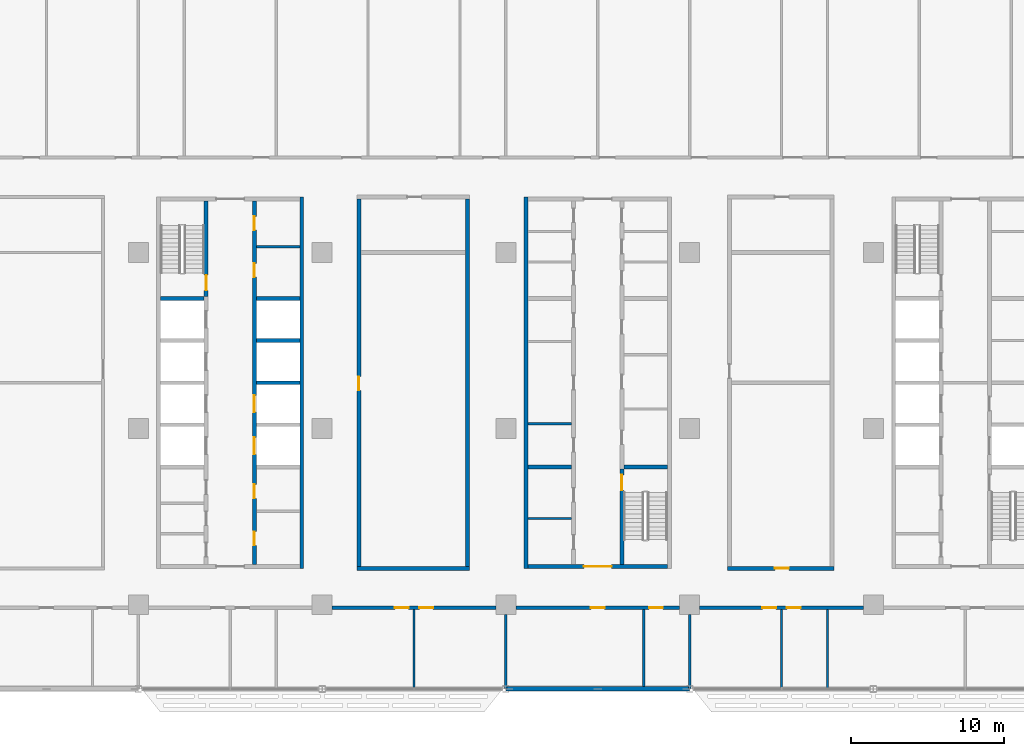
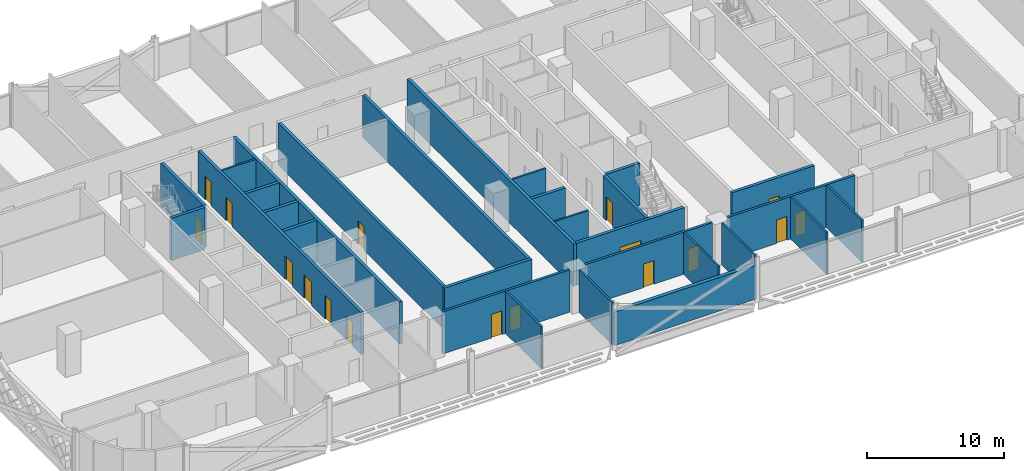
# One storey, part 14 of 29: 29 walls, 17 doors, 17 openings.
"""IFC4 building model written with IfcOpenShell, lengths in metres."""

from ifc_helpers import new_model, si_unit, direction, frame, frame_2d, origin, place, context, subcontext, project, spatial, rectangle, extrude, material, layer, layer_set, type_object, element, fill, save


model = new_model("IFC4")

# Units and contexts
model_context = context("Model", 3, precision=1e-05, world=origin(), true_north=direction((0.0, 1.0)))
body_context = subcontext(model_context, "Body", "Model", "MODEL_VIEW")
ifc_project = project(units=[si_unit("LENGTHUNIT", "METRE"), si_unit("AREAUNIT", "SQUARE_METRE"), si_unit("VOLUMEUNIT", "CUBIC_METRE"), si_unit("PLANEANGLEUNIT", "RADIAN"), si_unit("MASSUNIT", "GRAM", prefix="KILO")], contexts=[model_context])

# Site, building, storey
site_placement = place(None, origin())
site = spatial("IfcSite", under=ifc_project, at=site_placement, CompositionType="ELEMENT")
building_placement = place(site_placement, origin())
building = spatial("IfcBuilding", under=site, at=building_placement, Name="Mahtab Terrace Research Tower", CompositionType="ELEMENT")
storey_placement = place(building_placement, frame((0.0, 0.0, 142.5)))
storey = spatial("IfcBuildingStorey", under=building, at=storey_placement, Name="L33", CompositionType="ELEMENT", Elevation=142.5)

# Walls
ifc_material_1 = material(Name="Gypsum board partition")
ifc_layer_1 = layer(ifc_material_1, 0.14990234375)
ifc_layer_set_1 = layer_set([ifc_layer_1], Name="Core partition 150")
wall_type_1 = type_object("IfcWallType", Name="Core partition 150", PredefinedType="PARTITIONING", material=ifc_layer_set_1)
for number, where, z_axis, x_axis, name in (
    (1, (-22.300048828125, 11.875, 0.0), (0.0, 0.0, 1.0), (1.0, 0.0, 0.0), "Core wall A pEN888"),
    (2, (-4.550048828125, 0.3125, 0.0), (0.0, 0.0, 1.0), (1.0, 0.0, 0.0), "Core wall B pWL-269"),
    (3, (-4.550048828125, -5.875, 0.0), (0.0, 0.0, 1.0), (1.0, 0.0, 0.0), "Core wall B pWS-888"),
):
    element("IfcWall", number, at=place(storey_placement, frame(where, z_axis=z_axis, x_axis=x_axis)), inside=storey, type_object=wall_type_1, Name=name, PredefinedType="PARTITIONING", context=body_context, shape_type="SweptSolid", body=[
        extrude(rectangle(XDim=2.85009765625, YDim=0.14990234375, at=frame_2d((1.425048828125, 0.0))), origin(), (0.0, 0.0, 1.0), 3.760009765625),
    ])
ifc_material_2 = material(Name="Concrete C70/85", Category="concrete")
ifc_layer_2 = layer(ifc_material_2, 0.25)
ifc_layer_set_2 = layer_set([ifc_layer_2], Name="Core wall 250")
wall_type_2 = type_object("IfcWallType", Name="Core wall 250", PredefinedType="SOLIDWALL", material=ifc_layer_set_2)
wall_1_placement = place(storey_placement, frame((-19.324951171875, -9.125, 0.0), z_axis=(0.0, 0.0, 1.0), x_axis=(0.0, 1.0, 0.0)))
element("IfcWall", 4, at=wall_1_placement, inside=storey, type_object=wall_type_2, Name="Core wall A outerE", PredefinedType="SOLIDWALL", context=body_context, shape_type="SweptSolid", body=[
    extrude(rectangle(XDim=24.25, YDim=0.25, at=frame_2d((12.125, 0.0))), origin(), (0.0, 0.0, 1.0), 3.760009765625),
])

# Wall, opening, door
wall_2_placement = place(storey_placement, frame((-25.574951171875, 14.875, 0.0), z_axis=(0.0, 0.0, 1.0), x_axis=(0.0, -1.0, 0.0)))
wall_2 = element("IfcWall", 5, at=wall_2_placement, inside=storey, type_object=wall_type_2, Name="Core wall A innerWN", PredefinedType="SOLIDWALL", context=body_context, shape_type="SweptSolid", body=[
    extrude(rectangle(XDim=6.25, YDim=0.25, at=frame_2d((3.125, 0.0))), origin(), (0.0, 0.0, 1.0), 3.760009765625),
])
opening_1_placement = place(wall_2_placement, frame((4.85009765625, 0.0, 0.0)))
opening_1 = element("IfcOpeningElement", 6, at=opening_1_placement, cuts=wall_2, Name="Opening A-ST1", PredefinedType="OPENING", context=body_context, shape_type="SweptSolid", body=[
    extrude(rectangle(XDim=1.0, YDim=2.10009765625, at=frame_2d((0.5, 1.050048828125))), frame((0.0, 0.135009765625, 0.0), z_axis=(0.0, -1.0, 0.0), x_axis=(1.0, 0.0, 0.0)), (0.0, 0.0, 1.0), 0.27001953125),
])
ifc_material_3 = material(Name="Steel fire door", Category="steel")
door_type_1 = type_object("IfcDoorType", Name="Stair door 1000x2100 1.5 HR", OperationType="NOTDEFINED", PredefinedType="DOOR", material=ifc_material_3)
door_1_placement = place(opening_1_placement, origin())
door_1 = element("IfcDoor", 7, at=door_1_placement, inside=storey, type_object=door_type_1, Name="Stair door ST1 L33", OperationType="SINGLE_SWING_RIGHT", OverallHeight=2.10009765625, OverallWidth=1.0, PredefinedType="DOOR", context=body_context, shape_type="SweptSolid", body=[
    extrude(rectangle(XDim=1.0, YDim=2.10009765625, at=frame_2d((0.5, 1.050048828125))), frame((0.0, 0.02490234375, 0.0), z_axis=(0.0, -1.0, 0.0), x_axis=(1.0, 0.0, 0.0)), (0.0, 0.0, 1.0), 0.050048828125),
])
fill(opening_1, door_1)

# Wall, openings, doors
wall_3_placement = place(storey_placement, frame((-22.425048828125, 14.875, 0.0), z_axis=(0.0, 0.0, 1.0), x_axis=(0.0, -1.0, 0.0)))
wall_3 = element("IfcWall", 8, at=wall_3_placement, inside=storey, type_object=wall_type_2, Name="Core wall A innerESLN", PredefinedType="SOLIDWALL", context=body_context, shape_type="SweptSolid", body=[
    extrude(rectangle(XDim=23.75, YDim=0.25, at=frame_2d((11.875, 0.0))), origin(), (0.0, 0.0, 1.0), 3.760009765625),
])
opening_2_placement = place(wall_3_placement, frame((15.449951171875, 0.0, 0.0)))
opening_2 = element("IfcOpeningElement", 9, at=opening_2_placement, cuts=wall_3, Name="Opening LD05-L33", PredefinedType="OPENING", context=body_context, shape_type="SweptSolid", body=[
    extrude(rectangle(XDim=1.10009765625, YDim=2.10009765625, at=frame_2d((0.550048828125, 1.050048828125))), frame((0.0, 0.135009765625, 0.0), z_axis=(0.0, -1.0, 0.0), x_axis=(1.0, 0.0, 0.0)), (0.0, 0.0, 1.0), 0.27001953125),
])
opening_3_placement = place(wall_3_placement, frame((12.699951171875, 0.0, 0.0)))
opening_3 = element("IfcOpeningElement", 10, at=opening_3_placement, cuts=wall_3, Name="Opening LD06-L33", PredefinedType="OPENING", context=body_context, shape_type="SweptSolid", body=[
    extrude(rectangle(XDim=1.10009765625, YDim=2.10009765625, at=frame_2d((0.550048828125, 1.050048828125))), frame((0.0, 0.135009765625, 0.0), z_axis=(0.0, -1.0, 0.0), x_axis=(1.0, 0.0, 0.0)), (0.0, 0.0, 1.0), 0.27001953125),
])
opening_4_placement = place(wall_3_placement, frame((21.597412109375, 0.0, 0.0)))
opening_4 = element("IfcOpeningElement", 11, at=opening_4_placement, cuts=wall_3, Name="Opening A-R4", PredefinedType="OPENING", context=body_context, shape_type="SweptSolid", body=[
    extrude(rectangle(XDim=0.89990234375, YDim=2.10009765625, at=frame_2d((0.449951171875, 1.050048828125))), frame((0.0, 0.135009765625, 0.0), z_axis=(0.0, -1.0, 0.0), x_axis=(1.0, 0.0, 0.0)), (0.0, 0.0, 1.0), 0.27001953125),
])
opening_5_placement = place(wall_3_placement, frame((18.5224609375, 0.0, 0.0)))
opening_5 = element("IfcOpeningElement", 12, at=opening_5_placement, cuts=wall_3, Name="Opening A-R5", PredefinedType="OPENING", context=body_context, shape_type="SweptSolid", body=[
    extrude(rectangle(XDim=0.89990234375, YDim=2.10009765625, at=frame_2d((0.449951171875, 1.050048828125))), frame((0.0, 0.135009765625, 0.0), z_axis=(0.0, -1.0, 0.0), x_axis=(1.0, 0.0, 0.0)), (0.0, 0.0, 1.0), 0.27001953125),
])
opening_6_placement = place(wall_3_placement, frame((4.08740234375, 0.0, 0.0)))
opening_6 = element("IfcOpeningElement", 13, at=opening_6_placement, cuts=wall_3, Name="Opening A-R6", PredefinedType="OPENING", context=body_context, shape_type="SweptSolid", body=[
    extrude(rectangle(XDim=0.89990234375, YDim=2.10009765625, at=frame_2d((0.449951171875, 1.050048828125))), frame((0.0, 0.135009765625, 0.0), z_axis=(0.0, -1.0, 0.0), x_axis=(1.0, 0.0, 0.0)), (0.0, 0.0, 1.0), 0.27001953125),
])
opening_7_placement = place(wall_3_placement, frame((1.012451171875, 0.0, 0.0)))
opening_7 = element("IfcOpeningElement", 14, at=opening_7_placement, cuts=wall_3, Name="Opening A-R7", PredefinedType="OPENING", context=body_context, shape_type="SweptSolid", body=[
    extrude(rectangle(XDim=0.89990234375, YDim=2.10009765625, at=frame_2d((0.449951171875, 1.050048828125))), frame((0.0, 0.135009765625, 0.0), z_axis=(0.0, -1.0, 0.0), x_axis=(1.0, 0.0, 0.0)), (0.0, 0.0, 1.0), 0.27001953125),
])
ifc_material_4 = material(Name="Stainless steel AISI 304", Category="steel")
door_type_2 = type_object("IfcDoorType", Name="Landing door 1100x2100", OperationType="DOUBLE_DOOR_SLIDING", PredefinedType="DOOR", material=ifc_material_4)
door_2_placement = place(opening_2_placement, origin())
door_2 = element("IfcDoor", 15, at=door_2_placement, inside=storey, type_object=door_type_2, Name="Landing door LR5 L33", OperationType="DOUBLE_DOOR_SLIDING", OverallHeight=2.10009765625, OverallWidth=1.10009765625, PredefinedType="DOOR", context=body_context, shape_type="SweptSolid", body=[
    extrude(rectangle(XDim=1.10009765625, YDim=2.10009765625, at=frame_2d((0.550048828125, 1.050048828125))), frame((0.0, 0.02490234375, 0.0), z_axis=(0.0, -1.0, 0.0), x_axis=(1.0, 0.0, 0.0)), (0.0, 0.0, 1.0), 0.050048828125),
])
fill(opening_2, door_2)
door_3_placement = place(opening_3_placement, origin())
door_3 = element("IfcDoor", 16, at=door_3_placement, inside=storey, type_object=door_type_2, Name="Landing door LR6 L33", OperationType="DOUBLE_DOOR_SLIDING", OverallHeight=2.10009765625, OverallWidth=1.10009765625, PredefinedType="DOOR", context=body_context, shape_type="SweptSolid", body=[
    extrude(rectangle(XDim=1.10009765625, YDim=2.10009765625, at=frame_2d((0.550048828125, 1.050048828125))), frame((0.0, 0.02490234375, 0.0), z_axis=(0.0, -1.0, 0.0), x_axis=(1.0, 0.0, 0.0)), (0.0, 0.0, 1.0), 0.050048828125),
])
fill(opening_3, door_3)
door_type_3 = type_object("IfcDoorType", Name="Room door 900x2100 1 HR", OperationType="NOTDEFINED", PredefinedType="DOOR", material=ifc_material_3)
door_4_placement = place(opening_4_placement, origin())
door_4 = element("IfcDoor", 17, at=door_4_placement, inside=storey, type_object=door_type_3, Name="Pantry door", OperationType="SINGLE_SWING_RIGHT", OverallHeight=2.10009765625, OverallWidth=0.89990234375, PredefinedType="DOOR", context=body_context, shape_type="SweptSolid", body=[
    extrude(rectangle(XDim=0.89990234375, YDim=2.10009765625, at=frame_2d((0.449951171875, 1.050048828125))), frame((0.0, 0.02490234375, 0.0), z_axis=(0.0, -1.0, 0.0), x_axis=(1.0, 0.0, 0.0)), (0.0, 0.0, 1.0), 0.050048828125),
])
fill(opening_4, door_4)
door_5_placement = place(opening_5_placement, origin())
door_5 = element("IfcDoor", 18, at=door_5_placement, inside=storey, type_object=door_type_3, Name="Linen store door", OperationType="SINGLE_SWING_LEFT", OverallHeight=2.10009765625, OverallWidth=0.89990234375, PredefinedType="DOOR", context=body_context, shape_type="SweptSolid", body=[
    extrude(rectangle(XDim=0.89990234375, YDim=2.10009765625, at=frame_2d((0.449951171875, 1.050048828125))), frame((0.0, 0.02490234375, 0.0), z_axis=(0.0, -1.0, 0.0), x_axis=(1.0, 0.0, 0.0)), (0.0, 0.0, 1.0), 0.050048828125),
])
fill(opening_5, door_5)
door_6_placement = place(opening_6_placement, origin())
door_6 = element("IfcDoor", 19, at=door_6_placement, inside=storey, type_object=door_type_3, Name="Housekeeping store door", OperationType="SINGLE_SWING_RIGHT", OverallHeight=2.10009765625, OverallWidth=0.89990234375, PredefinedType="DOOR", context=body_context, shape_type="SweptSolid", body=[
    extrude(rectangle(XDim=0.89990234375, YDim=2.10009765625, at=frame_2d((0.449951171875, 1.050048828125))), frame((0.0, 0.02490234375, 0.0), z_axis=(0.0, -1.0, 0.0), x_axis=(1.0, 0.0, 0.0)), (0.0, 0.0, 1.0), 0.050048828125),
])
fill(opening_6, door_6)
door_7_placement = place(opening_7_placement, origin())
door_7 = element("IfcDoor", 20, at=door_7_placement, inside=storey, type_object=door_type_3, Name="Electrical riser room door", OperationType="SINGLE_SWING_LEFT", OverallHeight=2.10009765625, OverallWidth=0.89990234375, PredefinedType="DOOR", context=body_context, shape_type="SweptSolid", body=[
    extrude(rectangle(XDim=0.89990234375, YDim=2.10009765625, at=frame_2d((0.449951171875, 1.050048828125))), frame((0.0, 0.02490234375, 0.0), z_axis=(0.0, -1.0, 0.0), x_axis=(1.0, 0.0, 0.0)), (0.0, 0.0, 1.0), 0.050048828125),
])
fill(opening_7, door_7)

# Walls
for number, where, z_axis, x_axis, name in (
    (21, (-28.550048828125, 8.5, 0.0), (0.0, 0.0, 1.0), (1.0, 0.0, 0.0), "Core wall A divW4"),
    (22, (-22.300048828125, 3.0, 0.0), (0.0, 0.0, 1.0), (1.0, 0.0, 0.0), "Core wall A divE2"),
    (23, (-22.300048828125, 5.75, 0.0), (0.0, 0.0, 1.0), (1.0, 0.0, 0.0), "Core wall A divE3"),
    (24, (-22.300048828125, 8.5, 0.0), (0.0, 0.0, 1.0), (1.0, 0.0, 0.0), "Core wall A divE4"),
):
    element("IfcWall", number, at=place(storey_placement, frame(where, z_axis=z_axis, x_axis=x_axis)), inside=storey, type_object=wall_type_2, Name=name, PredefinedType="SOLIDWALL", context=body_context, shape_type="SweptSolid", body=[
        extrude(rectangle(XDim=2.85009765625, YDim=0.25, at=frame_2d((1.425048828125, 0.0))), origin(), (0.0, 0.0, 1.0), 3.760009765625),
    ])
wall_4_placement = place(storey_placement, frame((-4.675048828125, 15.125, 0.0), z_axis=(0.0, 0.0, 1.0), x_axis=(0.0, -1.0, 0.0)))
element("IfcWall", 25, at=wall_4_placement, inside=storey, type_object=wall_type_2, Name="Core wall B outerW", PredefinedType="SOLIDWALL", context=body_context, shape_type="SweptSolid", body=[
    extrude(rectangle(XDim=24.25, YDim=0.25, at=frame_2d((12.125, 0.0))), origin(), (0.0, 0.0, 1.0), 3.760009765625),
])

# Wall, opening, door
wall_5_placement = place(storey_placement, frame((4.550048828125, -9.0, 0.0), z_axis=(0.0, 0.0, 1.0), x_axis=(-1.0, 0.0, 0.0)))
wall_5 = element("IfcWall", 26, at=wall_5_placement, inside=storey, type_object=wall_type_2, Name="Core wall B endS", PredefinedType="SOLIDWALL", context=body_context, shape_type="SweptSolid", body=[
    extrude(rectangle(XDim=9.10009765625, YDim=0.25, at=frame_2d((4.550048828125, 0.0))), origin(), (0.0, 0.0, 1.0), 3.760009765625),
])
opening_8_placement = place(wall_5_placement, frame((3.64990234375, 0.0, 0.0)))
opening_8 = element("IfcOpeningElement", 27, at=opening_8_placement, cuts=wall_5, Name="Opening B-S1", PredefinedType="OPENING", context=body_context, shape_type="SweptSolid", body=[
    extrude(rectangle(XDim=1.800048828125, YDim=2.10009765625, at=frame_2d((0.89990234375, 1.050048828125))), frame((0.0, 0.135009765625, 0.0), z_axis=(0.0, -1.0, 0.0), x_axis=(1.0, 0.0, 0.0)), (0.0, 0.0, 1.0), 0.27001953125),
])
door_type_4 = type_object("IfcDoorType", Name="Lobby double door 1800x2100 1 HR", OperationType="DOUBLE_DOOR_SINGLE_SWING", PredefinedType="DOOR", material=ifc_material_3)
door_8_placement = place(opening_8_placement, origin())
door_8 = element("IfcDoor", 28, at=door_8_placement, inside=storey, type_object=door_type_4, Name="Core entrance door B S", OperationType="DOUBLE_DOOR_SINGLE_SWING", OverallHeight=2.10009765625, OverallWidth=1.800048828125, PredefinedType="DOOR", context=body_context, shape_type="SweptSolid", body=[
    extrude(rectangle(XDim=1.800048828125, YDim=2.10009765625, at=frame_2d((0.89990234375, 1.050048828125))), frame((0.0, 0.02490234375, 0.0), z_axis=(0.0, -1.0, 0.0), x_axis=(1.0, 0.0, 0.0)), (0.0, 0.0, 1.0), 0.050048828125),
])
fill(opening_8, door_8)

wall_6_placement = place(storey_placement, frame((1.574951171875, -8.875, 0.0), z_axis=(0.0, 0.0, 1.0), x_axis=(0.0, 1.0, 0.0)))
wall_6 = element("IfcWall", 29, at=wall_6_placement, inside=storey, type_object=wall_type_2, Name="Core wall B innerES", PredefinedType="SOLIDWALL", context=body_context, shape_type="SweptSolid", body=[
    extrude(rectangle(XDim=6.25, YDim=0.25, at=frame_2d((3.125, 0.0))), origin(), (0.0, 0.0, 1.0), 3.760009765625),
])
opening_9_placement = place(wall_6_placement, frame((4.85009765625, 0.0, 0.0)))
opening_9 = element("IfcOpeningElement", 30, at=opening_9_placement, cuts=wall_6, Name="Opening B-ST2", PredefinedType="OPENING", context=body_context, shape_type="SweptSolid", body=[
    extrude(rectangle(XDim=1.0, YDim=2.10009765625, at=frame_2d((0.5, 1.050048828125))), frame((0.0, 0.135009765625, 0.0), z_axis=(0.0, -1.0, 0.0), x_axis=(1.0, 0.0, 0.0)), (0.0, 0.0, 1.0), 0.27001953125),
])
door_9_placement = place(opening_9_placement, origin())
door_9 = element("IfcDoor", 31, at=door_9_placement, inside=storey, type_object=door_type_1, Name="Stair door ST2 L33", OperationType="SINGLE_SWING_LEFT", OverallHeight=2.10009765625, OverallWidth=1.0, PredefinedType="DOOR", context=body_context, shape_type="SweptSolid", body=[
    extrude(rectangle(XDim=1.0, YDim=2.10009765625, at=frame_2d((0.5, 1.050048828125))), frame((0.0, 0.02490234375, 0.0), z_axis=(0.0, -1.0, 0.0), x_axis=(1.0, 0.0, 0.0)), (0.0, 0.0, 1.0), 0.050048828125),
])
fill(opening_9, door_9)

# Walls
for number, where, z_axis, x_axis, name in (
    (32, (-4.550048828125, -2.5, 0.0), (0.0, 0.0, 1.0), (1.0, 0.0, 0.0), "Core wall B divW0"),
    (33, (1.699951171875, -2.5, 0.0), (0.0, 0.0, 1.0), (1.0, 0.0, 0.0), "Core wall B divE0"),
):
    element("IfcWall", number, at=place(storey_placement, frame(where, z_axis=z_axis, x_axis=x_axis)), inside=storey, type_object=wall_type_2, Name=name, PredefinedType="SOLIDWALL", context=body_context, shape_type="SweptSolid", body=[
        extrude(rectangle(XDim=2.85009765625, YDim=0.25, at=frame_2d((1.425048828125, 0.0))), origin(), (0.0, 0.0, 1.0), 3.760009765625),
    ])
ifc_material_5 = material(Name="Black aluminium cladding panel", Category="aluminium")
ifc_layer_3 = layer(ifc_material_5, 0.300048828125)
ifc_layer_set_3 = layer_set([ifc_layer_3], Name="Opaque facade wall 300")
wall_type_3 = type_object("IfcWallType", Name="Opaque facade wall 300", PredefinedType="NOTDEFINED", material=ifc_layer_set_3)
wall_7_placement = place(storey_placement, frame((-5.982177734375, -17.0, 0.0), z_axis=(0.0, 0.0, 1.0), x_axis=(1.0, 0.0, 0.0)))
element("IfcWall", 34, at=wall_7_placement, inside=storey, type_object=wall_type_3, Name="Opaque facade wall L33 S27", PredefinedType="NOTDEFINED", context=body_context, shape_type="SweptSolid", body=[
    extrude(rectangle(XDim=11.96435546875, YDim=0.300048828125, at=frame_2d((5.982177734375, 0.0))), origin(), (0.0, 0.0, 1.0), 3.003173828125),
])
ifc_material_6 = material(Name="Masonry control area wall", Category="masonry")
ifc_layer_4 = layer(ifc_material_6, 0.25)
ifc_layer_set_4 = layer_set([ifc_layer_4], Name="WALL CONTROL AREA 250")
wall_type_4 = type_object("IfcWallType", Name="WALL CONTROL AREA 250", PredefinedType="PARTITIONING", material=ifc_layer_set_4)
wall_8_placement = place(storey_placement, frame((-15.72509765625, -9.125, 0.0), z_axis=(0.0, 0.0, 1.0), x_axis=(1.0, 0.0, 0.0)))
element("IfcWall", 35, at=wall_8_placement, inside=storey, type_object=wall_type_4, Name="L33-W011", PredefinedType="PARTITIONING", context=body_context, shape_type="SweptSolid", body=[
    extrude(rectangle(XDim=7.35009765625, YDim=0.25, at=frame_2d((3.675048828125, 0.0))), origin(), (0.0, 0.0, 1.0), 3.760009765625),
])

# Wall, opening, door
wall_9_placement = place(storey_placement, frame((8.47509765625, -9.125, 0.0), z_axis=(0.0, 0.0, 1.0), x_axis=(1.0, 0.0, 0.0)))
wall_9 = element("IfcWall", 36, at=wall_9_placement, inside=storey, type_object=wall_type_4, Name="L33-W012", PredefinedType="PARTITIONING", context=body_context, shape_type="SweptSolid", body=[
    extrude(rectangle(XDim=6.949951171875, YDim=0.25, at=frame_2d((3.47509765625, 0.0))), origin(), (0.0, 0.0, 1.0), 3.760009765625),
])
opening_10_placement = place(wall_9_placement, frame((3.10009765625, 0.0, 0.0)))
opening_10 = element("IfcOpeningElement", 37, at=opening_10_placement, cuts=wall_9, Name="Opening L33-118", PredefinedType="OPENING", context=body_context, shape_type="SweptSolid", body=[
    extrude(rectangle(XDim=0.89990234375, YDim=2.10009765625, at=frame_2d((0.449951171875, 1.050048828125))), frame((0.0, 0.135009765625, 0.0), z_axis=(0.0, -1.0, 0.0), x_axis=(1.0, 0.0, 0.0)), (0.0, 0.0, 1.0), 0.27001953125),
])
ifc_material_7 = material(Name="Timber door leaf in steel frame", Category="steel")
door_type_5 = type_object("IfcDoorType", Name="DOOR 0900X2100 FD120", OperationType="SINGLE_SWING_LEFT", PredefinedType="DOOR", material=ifc_material_7)
door_10_placement = place(opening_10_placement, origin())
door_10 = element("IfcDoor", 38, at=door_10_placement, inside=storey, type_object=door_type_5, Name="Door L33-118", OperationType="SINGLE_SWING_RIGHT", OverallHeight=2.10009765625, OverallWidth=0.89990234375, PredefinedType="DOOR", context=body_context, shape_type="SweptSolid", body=[
    extrude(rectangle(XDim=0.89990234375, YDim=2.10009765625, at=frame_2d((0.449951171875, 1.050048828125))), frame((0.0, 0.02490234375, 0.0), z_axis=(0.0, -1.0, 0.0), x_axis=(1.0, 0.0, 0.0)), (0.0, 0.0, 1.0), 0.050048828125),
])
fill(opening_10, door_10)

wall_10_placement = place(storey_placement, frame((-15.60009765625, -9.0, 0.0), z_axis=(0.0, 0.0, 1.0), x_axis=(0.0, 1.0, 0.0)))
wall_10 = element("IfcWall", 39, at=wall_10_placement, inside=storey, type_object=wall_type_4, Name="L33-W038", PredefinedType="PARTITIONING", context=body_context, shape_type="SweptSolid", body=[
    extrude(rectangle(XDim=24.0, YDim=0.25, at=frame_2d((12.0, 0.0))), origin(), (0.0, 0.0, 1.0), 3.760009765625),
])
opening_11_placement = place(wall_10_placement, frame((11.5, 0.0, 0.0)))
opening_11 = element("IfcOpeningElement", 40, at=opening_11_placement, cuts=wall_10, Name="Opening L33-119", PredefinedType="OPENING", context=body_context, shape_type="SweptSolid", body=[
    extrude(rectangle(XDim=0.89990234375, YDim=2.10009765625, at=frame_2d((0.449951171875, 1.050048828125))), frame((0.0, 0.135009765625, 0.0), z_axis=(0.0, -1.0, 0.0), x_axis=(1.0, 0.0, 0.0)), (0.0, 0.0, 1.0), 0.27001953125),
])
door_11_placement = place(opening_11_placement, origin())
door_11 = element("IfcDoor", 41, at=door_11_placement, inside=storey, type_object=door_type_5, Name="Door L33-119", OperationType="SINGLE_SWING_RIGHT", OverallHeight=2.10009765625, OverallWidth=0.89990234375, PredefinedType="DOOR", context=body_context, shape_type="SweptSolid", body=[
    extrude(rectangle(XDim=0.89990234375, YDim=2.10009765625, at=frame_2d((0.449951171875, 1.050048828125))), frame((0.0, 0.02490234375, 0.0), z_axis=(0.0, -1.0, 0.0), x_axis=(1.0, 0.0, 0.0)), (0.0, 0.0, 1.0), 0.050048828125),
])
fill(opening_11, door_11)

# Wall
wall_11_placement = place(storey_placement, frame((-8.5, -9.0, 0.0), z_axis=(0.0, 0.0, 1.0), x_axis=(0.0, 1.0, 0.0)))
element("IfcWall", 42, at=wall_11_placement, inside=storey, type_object=wall_type_4, Name="L33-W042", PredefinedType="PARTITIONING", context=body_context, shape_type="SweptSolid", body=[
    extrude(rectangle(XDim=24.0, YDim=0.25, at=frame_2d((12.0, 0.0))), origin(), (0.0, 0.0, 1.0), 3.760009765625),
])

# Wall, openings, doors
ifc_material_8 = material(Name="Gypsum board corridor wall on steel studs", Category="steel")
ifc_layer_5 = layer(ifc_material_8, 0.199951171875)
ifc_layer_set_5 = layer_set([ifc_layer_5], Name="WALL CORRIDOR 200")
wall_type_5 = type_object("IfcWallType", Name="WALL CORRIDOR 200", PredefinedType="PARTITIONING", material=ifc_layer_set_5)
wall_12_placement = place(storey_placement, frame((-17.35009765625, -11.699951171875, 0.0), z_axis=(0.0, 0.0, 1.0), x_axis=(1.0, 0.0, 0.0)))
wall_12 = element("IfcWall", 43, at=wall_12_placement, inside=storey, type_object=wall_type_5, Name="L33-W004", PredefinedType="PARTITIONING", context=body_context, shape_type="SweptSolid", body=[
    extrude(rectangle(XDim=10.7001953125, YDim=0.199951171875, at=frame_2d((5.35009765625, 0.0))), origin(), (0.0, 0.0, 1.0), 3.760009765625),
])
opening_12_placement = place(wall_12_placement, frame((4.10009765625, 0.0, 0.0)))
opening_12 = element("IfcOpeningElement", 44, at=opening_12_placement, cuts=wall_12, Name="Opening L33-106", PredefinedType="OPENING", context=body_context, shape_type="SweptSolid", body=[
    extrude(rectangle(XDim=0.89990234375, YDim=2.10009765625, at=frame_2d((0.449951171875, 1.050048828125))), frame((0.0, 0.10986328125, 0.0), z_axis=(0.0, -1.0, 0.0), x_axis=(1.0, 0.0, 0.0)), (0.0, 0.0, 1.0), 0.219970703125),
])
opening_13_placement = place(wall_12_placement, frame((5.699951171875, 0.0, 0.0)))
opening_13 = element("IfcOpeningElement", 45, at=opening_13_placement, cuts=wall_12, Name="Opening L33-107", PredefinedType="OPENING", context=body_context, shape_type="SweptSolid", body=[
    extrude(rectangle(XDim=0.89990234375, YDim=2.10009765625, at=frame_2d((0.449951171875, 1.050048828125))), frame((0.0, 0.10986328125, 0.0), z_axis=(0.0, -1.0, 0.0), x_axis=(1.0, 0.0, 0.0)), (0.0, 0.0, 1.0), 0.219970703125),
])
door_type_6 = type_object("IfcDoorType", Name="DOOR 0900X2100 FD30S", OperationType="SINGLE_SWING_LEFT", PredefinedType="DOOR", material=ifc_material_7)
door_12_placement = place(opening_12_placement, origin())
door_12 = element("IfcDoor", 46, at=door_12_placement, inside=storey, type_object=door_type_6, Name="Door L33-106", OperationType="SINGLE_SWING_RIGHT", OverallHeight=2.10009765625, OverallWidth=0.89990234375, PredefinedType="DOOR", context=body_context, shape_type="SweptSolid", body=[
    extrude(rectangle(XDim=0.89990234375, YDim=2.10009765625, at=frame_2d((0.449951171875, 1.050048828125))), frame((0.0, 0.02490234375, 0.0), z_axis=(0.0, -1.0, 0.0), x_axis=(1.0, 0.0, 0.0)), (0.0, 0.0, 1.0), 0.050048828125),
])
fill(opening_12, door_12)
door_13_placement = place(opening_13_placement, origin())
door_13 = element("IfcDoor", 47, at=door_13_placement, inside=storey, type_object=door_type_6, Name="Door L33-107", OperationType="SINGLE_SWING_LEFT", OverallHeight=2.10009765625, OverallWidth=0.89990234375, PredefinedType="DOOR", context=body_context, shape_type="SweptSolid", body=[
    extrude(rectangle(XDim=0.89990234375, YDim=2.10009765625, at=frame_2d((0.449951171875, 1.050048828125))), frame((0.0, 0.02490234375, 0.0), z_axis=(0.0, -1.0, 0.0), x_axis=(1.0, 0.0, 0.0)), (0.0, 0.0, 1.0), 0.050048828125),
])
fill(opening_13, door_13)

wall_13_placement = place(storey_placement, frame((-5.35009765625, -11.699951171875, 0.0), z_axis=(0.0, 0.0, 1.0), x_axis=(1.0, 0.0, 0.0)))
wall_13 = element("IfcWall", 48, at=wall_13_placement, inside=storey, type_object=wall_type_5, Name="L33-W005", PredefinedType="PARTITIONING", context=body_context, shape_type="SweptSolid", body=[
    extrude(rectangle(XDim=10.7001953125, YDim=0.199951171875, at=frame_2d((5.35009765625, 0.0))), origin(), (0.0, 0.0, 1.0), 3.760009765625),
])
opening_14_placement = place(wall_13_placement, frame((4.89990234375, 0.0, 0.0)))
opening_14 = element("IfcOpeningElement", 49, at=opening_14_placement, cuts=wall_13, Name="Opening L33-108", PredefinedType="OPENING", context=body_context, shape_type="SweptSolid", body=[
    extrude(rectangle(XDim=0.89990234375, YDim=2.10009765625, at=frame_2d((0.449951171875, 1.050048828125))), frame((0.0, 0.10986328125, 0.0), z_axis=(0.0, -1.0, 0.0), x_axis=(1.0, 0.0, 0.0)), (0.0, 0.0, 1.0), 0.219970703125),
])
opening_15_placement = place(wall_13_placement, frame((8.699951171875, 0.0, 0.0)))
opening_15 = element("IfcOpeningElement", 50, at=opening_15_placement, cuts=wall_13, Name="Opening L33-109", PredefinedType="OPENING", context=body_context, shape_type="SweptSolid", body=[
    extrude(rectangle(XDim=0.89990234375, YDim=2.10009765625, at=frame_2d((0.449951171875, 1.050048828125))), frame((0.0, 0.10986328125, 0.0), z_axis=(0.0, -1.0, 0.0), x_axis=(1.0, 0.0, 0.0)), (0.0, 0.0, 1.0), 0.219970703125),
])
door_14_placement = place(opening_14_placement, origin())
door_14 = element("IfcDoor", 51, at=door_14_placement, inside=storey, type_object=door_type_6, Name="Door L33-108", OperationType="SINGLE_SWING_LEFT", OverallHeight=2.10009765625, OverallWidth=0.89990234375, PredefinedType="DOOR", context=body_context, shape_type="SweptSolid", body=[
    extrude(rectangle(XDim=0.89990234375, YDim=2.10009765625, at=frame_2d((0.449951171875, 1.050048828125))), frame((0.0, 0.02490234375, 0.0), z_axis=(0.0, -1.0, 0.0), x_axis=(1.0, 0.0, 0.0)), (0.0, 0.0, 1.0), 0.050048828125),
])
fill(opening_14, door_14)
door_15_placement = place(opening_15_placement, origin())
door_15 = element("IfcDoor", 52, at=door_15_placement, inside=storey, type_object=door_type_6, Name="Door L33-109", OperationType="SINGLE_SWING_LEFT", OverallHeight=2.10009765625, OverallWidth=0.89990234375, PredefinedType="DOOR", context=body_context, shape_type="SweptSolid", body=[
    extrude(rectangle(XDim=0.89990234375, YDim=2.10009765625, at=frame_2d((0.449951171875, 1.050048828125))), frame((0.0, 0.02490234375, 0.0), z_axis=(0.0, -1.0, 0.0), x_axis=(1.0, 0.0, 0.0)), (0.0, 0.0, 1.0), 0.050048828125),
])
fill(opening_15, door_15)

wall_14_placement = place(storey_placement, frame((6.64990234375, -11.699951171875, 0.0), z_axis=(0.0, 0.0, 1.0), x_axis=(1.0, 0.0, 0.0)))
wall_14 = element("IfcWall", 53, at=wall_14_placement, inside=storey, type_object=wall_type_5, Name="L33-W006", PredefinedType="PARTITIONING", context=body_context, shape_type="SweptSolid", body=[
    extrude(rectangle(XDim=10.7001953125, YDim=0.199951171875, at=frame_2d((5.35009765625, 0.0))), origin(), (0.0, 0.0, 1.0), 3.760009765625),
])
opening_16_placement = place(wall_14_placement, frame((4.10009765625, 0.0, 0.0)))
opening_16 = element("IfcOpeningElement", 54, at=opening_16_placement, cuts=wall_14, Name="Opening L33-110", PredefinedType="OPENING", context=body_context, shape_type="SweptSolid", body=[
    extrude(rectangle(XDim=0.89990234375, YDim=2.10009765625, at=frame_2d((0.449951171875, 1.050048828125))), frame((0.0, 0.10986328125, 0.0), z_axis=(0.0, -1.0, 0.0), x_axis=(1.0, 0.0, 0.0)), (0.0, 0.0, 1.0), 0.219970703125),
])
opening_17_placement = place(wall_14_placement, frame((5.699951171875, 0.0, 0.0)))
opening_17 = element("IfcOpeningElement", 55, at=opening_17_placement, cuts=wall_14, Name="Opening L33-111", PredefinedType="OPENING", context=body_context, shape_type="SweptSolid", body=[
    extrude(rectangle(XDim=0.89990234375, YDim=2.10009765625, at=frame_2d((0.449951171875, 1.050048828125))), frame((0.0, 0.10986328125, 0.0), z_axis=(0.0, -1.0, 0.0), x_axis=(1.0, 0.0, 0.0)), (0.0, 0.0, 1.0), 0.219970703125),
])
door_16_placement = place(opening_16_placement, origin())
door_16 = element("IfcDoor", 56, at=door_16_placement, inside=storey, type_object=door_type_6, Name="Door L33-110", OperationType="SINGLE_SWING_RIGHT", OverallHeight=2.10009765625, OverallWidth=0.89990234375, PredefinedType="DOOR", context=body_context, shape_type="SweptSolid", body=[
    extrude(rectangle(XDim=0.89990234375, YDim=2.10009765625, at=frame_2d((0.449951171875, 1.050048828125))), frame((0.0, 0.02490234375, 0.0), z_axis=(0.0, -1.0, 0.0), x_axis=(1.0, 0.0, 0.0)), (0.0, 0.0, 1.0), 0.050048828125),
])
fill(opening_16, door_16)
door_17_placement = place(opening_17_placement, origin())
door_17 = element("IfcDoor", 57, at=door_17_placement, inside=storey, type_object=door_type_6, Name="Door L33-111", OperationType="SINGLE_SWING_LEFT", OverallHeight=2.10009765625, OverallWidth=0.89990234375, PredefinedType="DOOR", context=body_context, shape_type="SweptSolid", body=[
    extrude(rectangle(XDim=0.89990234375, YDim=2.10009765625, at=frame_2d((0.449951171875, 1.050048828125))), frame((0.0, 0.02490234375, 0.0), z_axis=(0.0, -1.0, 0.0), x_axis=(1.0, 0.0, 0.0)), (0.0, 0.0, 1.0), 0.050048828125),
])
fill(opening_17, door_17)

# Walls
ifc_material_9 = material(Name="Gypsum board partition on steel studs", Category="steel")
ifc_layer_6 = layer(ifc_material_9, 0.14990234375)
ifc_layer_set_6 = layer_set([ifc_layer_6], Name="WALL PARTITION 150")
wall_type_6 = type_object("IfcWallType", Name="WALL PARTITION 150", PredefinedType="PARTITIONING", material=ifc_layer_set_6)
wall_15_placement = place(storey_placement, frame((-12.0, -16.97509765625, 0.0), z_axis=(0.0, 0.0, 1.0), x_axis=(0.0, 1.0, 0.0)))
element("IfcWall", 58, at=wall_15_placement, inside=storey, type_object=wall_type_6, Name="L33-W040", PredefinedType="PARTITIONING", context=body_context, shape_type="SweptSolid", body=[
    extrude(rectangle(XDim=5.175048828125, YDim=0.14990234375, at=frame_2d((2.58740234375, 0.0))), origin(), (0.0, 0.0, 1.0), 3.760009765625),
])
wall_16_placement = place(storey_placement, frame((-6.0, -16.97509765625, 0.0), z_axis=(0.0, 0.0, 1.0), x_axis=(0.0, 1.0, 0.0)))
element("IfcWall", 59, at=wall_16_placement, inside=storey, type_object=wall_type_6, Name="L33-W043", PredefinedType="PARTITIONING", context=body_context, shape_type="SweptSolid", body=[
    extrude(rectangle(XDim=4.8251953125, YDim=0.14990234375, at=frame_2d((2.41259765625, 0.0))), origin(), (0.0, 0.0, 1.0), 3.760009765625),
])
wall_17_placement = place(storey_placement, frame((3.0, -16.85009765625, 0.0), z_axis=(0.0, 0.0, 1.0), x_axis=(0.0, 1.0, 0.0)))
element("IfcWall", 60, at=wall_17_placement, inside=storey, type_object=wall_type_6, Name="L33-W046", PredefinedType="PARTITIONING", context=body_context, shape_type="SweptSolid", body=[
    extrude(rectangle(XDim=5.050048828125, YDim=0.14990234375, at=frame_2d((2.52490234375, 0.0))), origin(), (0.0, 0.0, 1.0), 3.760009765625),
])
wall_18_placement = place(storey_placement, frame((6.0, -16.97509765625, 0.0), z_axis=(0.0, 0.0, 1.0), x_axis=(0.0, 1.0, 0.0)))
element("IfcWall", 61, at=wall_18_placement, inside=storey, type_object=wall_type_6, Name="L33-W047", PredefinedType="PARTITIONING", context=body_context, shape_type="SweptSolid", body=[
    extrude(rectangle(XDim=4.8251953125, YDim=0.14990234375, at=frame_2d((2.41259765625, 0.0))), origin(), (0.0, 0.0, 1.0), 3.760009765625),
])
for number, where, z_axis, x_axis, name in (
    (62, (12.0, -16.97509765625, 0.0), (0.0, 0.0, 1.0), (0.0, 1.0, 0.0), "L33-W050"),
    (63, (15.0, -16.97509765625, 0.0), (0.0, 0.0, 1.0), (0.0, 1.0, 0.0), "L33-W052"),
):
    element("IfcWall", number, at=place(storey_placement, frame(where, z_axis=z_axis, x_axis=x_axis)), inside=storey, type_object=wall_type_6, Name=name, PredefinedType="PARTITIONING", context=body_context, shape_type="SweptSolid", body=[
        extrude(rectangle(XDim=5.175048828125, YDim=0.14990234375, at=frame_2d((2.58740234375, 0.0))), origin(), (0.0, 0.0, 1.0), 3.760009765625),
    ])

save(model, "model.ifc")
